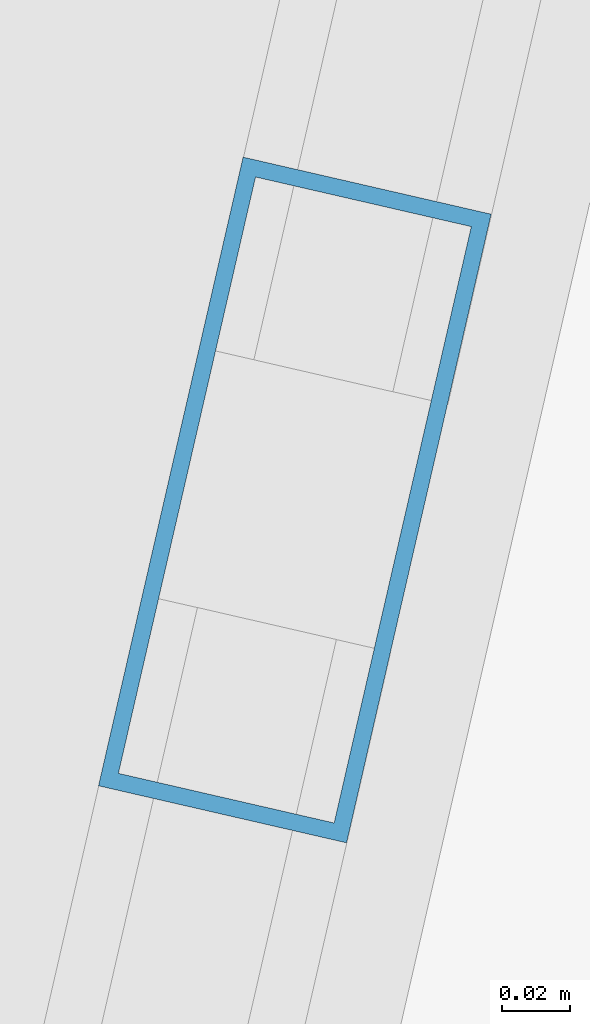
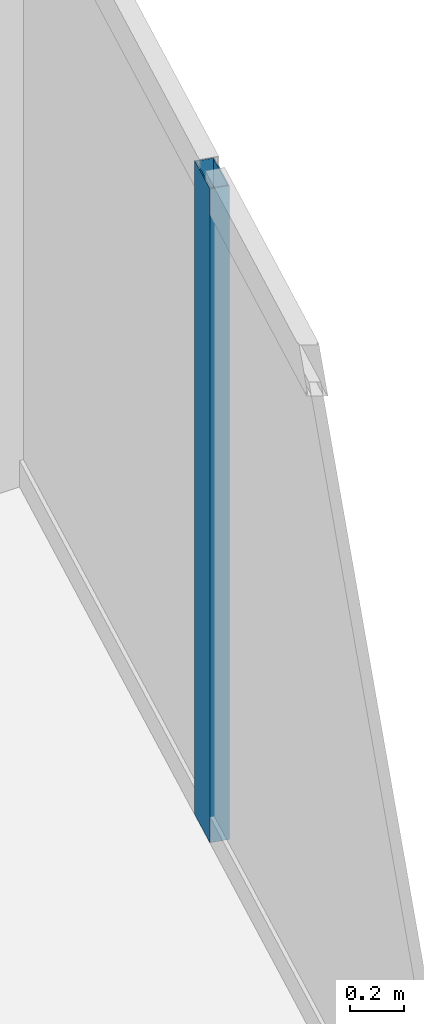
# One storey, part 12 of 28: 1 member, 1 element without a shape of its own.
"""IFC4 building model written with IfcOpenShell, lengths in metres."""

from ifc_helpers import new_model, si_unit, direction, frame, origin, origin_2d, place, context, subcontext, project, spatial, hollow_rectangle, extrude, material, material_profile, profile_set, type_object, element, aggregate, save


model = new_model("IFC4")

# Units and contexts
model_context = context("Model", 3, precision=1e-05, world=origin(), true_north=direction((0.0, 1.0)))
body_context = subcontext(model_context, "Body", "Model", "MODEL_VIEW")
ifc_project = project(units=[si_unit("LENGTHUNIT", "METRE"), si_unit("AREAUNIT", "SQUARE_METRE"), si_unit("VOLUMEUNIT", "CUBIC_METRE"), si_unit("PLANEANGLEUNIT", "RADIAN"), si_unit("MASSUNIT", "GRAM", prefix="KILO")], contexts=[model_context])

# Site, building, storey
site_placement = place(None, origin())
site = spatial("IfcSite", under=ifc_project, at=site_placement, CompositionType="ELEMENT")
building_placement = place(site_placement, origin())
building = spatial("IfcBuilding", under=site, at=building_placement, Name="Haldenkirk Collegiate Tower", CompositionType="ELEMENT")
storey_placement = place(building_placement, frame((0.0, 0.0, 286.199951171875)))
storey = spatial("IfcBuildingStorey", under=building, at=storey_placement, Name="L72", CompositionType="ELEMENT", Elevation=286.199951171875)

# Curtain wall, member
ifc_material = material(Name="Anodised architectural bronze aluminium", Category="aluminium")
curtain_wall_type = type_object("IfcCurtainWallType", Name="CW-SYS2-CONCAVE", PredefinedType="USERDEFINED", material=ifc_material)
curtain_wall_placement = place(storey_placement, origin())
curtain_wall = element("IfcCurtainWall", 1, at=curtain_wall_placement, inside=storey, type_object=curtain_wall_type, Name="L72 South concave recessed bronze-anodised curtain wall", ObjectType="UNITISED CURTAIN WALL", PredefinedType="USERDEFINED")
ifc_material_profile = material_profile(ifc_material, hollow_rectangle(XDim=0.074951171875, YDim=0.18994140625, WallThickness=0.0048828125, at=origin_2d()), Name="CW-MUL-02")
ifc_profile_set = profile_set([ifc_material_profile], Name="Anodised architectural bronze aluminium")
member_type = type_object("IfcMemberType", Name="CW-MUL-02", PredefinedType="MULLION", material=ifc_profile_set)
member_placement = place(storey_placement, frame((59.439697265625, 26.88623046875, 0.0), z_axis=(0.0, 0.0, 1.0), x_axis=(0.974566006497, -0.224100644756, 0.0)))
member = element("IfcMember", 2, at=member_placement, type_object=member_type, Name="CW-02 mullion 2", PredefinedType="MULLION", context=body_context, shape_type="SweptSolid", body=[
    extrude(hollow_rectangle(XDim=0.074951171875, YDim=0.18994140625, WallThickness=0.0048828125, at=origin_2d()), origin(), (0.0, 0.0, 1.0), 2.93798828125),
])
aggregate(curtain_wall, [member])

save(model, "model.ifc")
